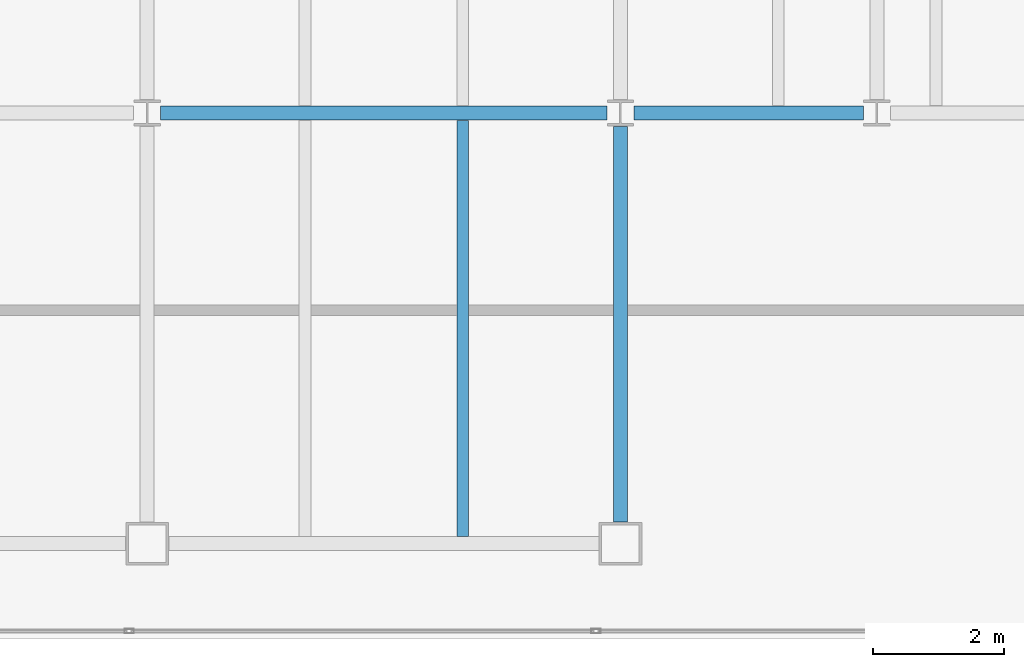
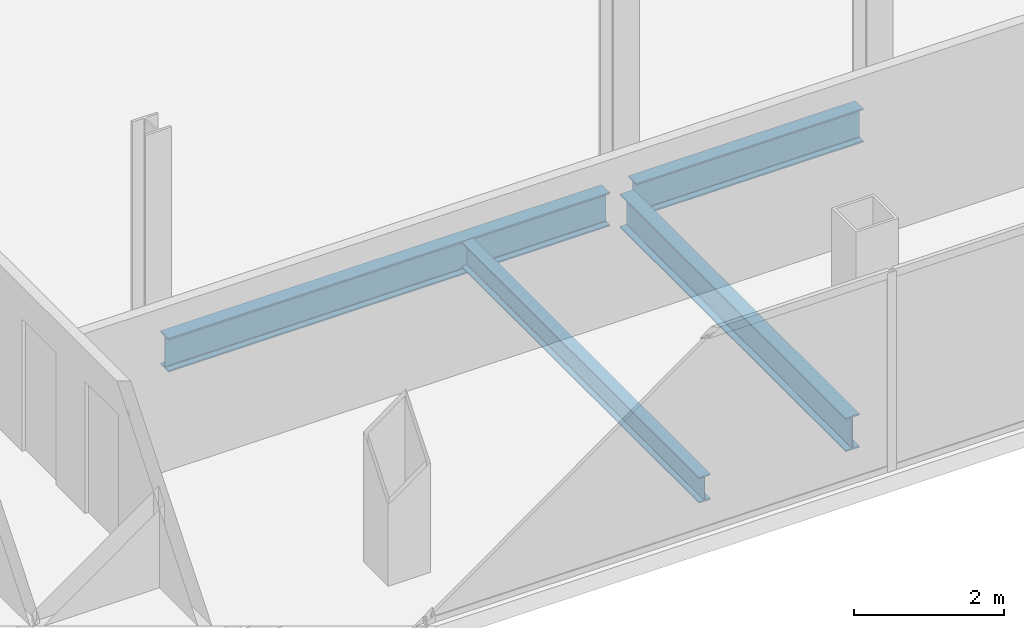
# One storey, part 13 of 24: 4 beams.
"""IFC4 building model written with IfcOpenShell, lengths in metres."""

from ifc_helpers import new_model, si_unit, direction, frame, origin, origin_2d, place, context, subcontext, project, spatial, i_section, extrude, material, material_profile, profile_set, type_object, element, save


model = new_model("IFC4")

# Units and contexts
model_context = context("Model", 3, precision=1e-05, world=origin(), true_north=direction((0.0, 1.0)))
body_context = subcontext(model_context, "Body", "Model", "MODEL_VIEW")
ifc_project = project(units=[si_unit("LENGTHUNIT", "METRE"), si_unit("AREAUNIT", "SQUARE_METRE"), si_unit("VOLUMEUNIT", "CUBIC_METRE"), si_unit("PLANEANGLEUNIT", "RADIAN"), si_unit("MASSUNIT", "GRAM", prefix="KILO")], contexts=[model_context])

# Site, building, storey
site_placement = place(None, origin())
site = spatial("IfcSite", under=ifc_project, at=site_placement, CompositionType="ELEMENT")
building_placement = place(site_placement, origin())
building = spatial("IfcBuilding", under=site, at=building_placement, Name="Cobrela Telecom Tower", CompositionType="ELEMENT")
storey_placement = place(building_placement, frame((0.0, 0.0, 244.64990234375)))
storey = spatial("IfcBuildingStorey", under=building, at=storey_placement, Name="L63", CompositionType="ELEMENT", Elevation=244.64990234375)

# Beams
ifc_material = material(Name="Steel ASTM A992 Grade 50", Category="steel")
ifc_material_profile_1 = material_profile(ifc_material, i_section(OverallWidth=0.212890625, OverallDepth=0.549072265625, WebThickness=0.0146484375, FlangeThickness=0.023681640625, FilletRadius=0.013916015625, at=origin_2d()), Name="W21X93")
ifc_profile_set_1 = profile_set([ifc_material_profile_1], Name="Steel ASTM A992 Grade 50")
beam_type_1 = type_object("IfcBeamType", Name="BM-GIRD-08", PredefinedType="USERDEFINED", material=ifc_profile_set_1)
beam_1_placement = place(storey_placement, frame((29.00439453125, 14.39990234375, -0.534423828125), z_axis=(1.0, 0.0, 0.0), x_axis=(0.0, 1.0, 0.0)))
element("IfcBeam", 1, at=beam_1_placement, inside=storey, type_object=beam_type_1, Name="L63 Primary Girder X07", ObjectType="GIRDER", PredefinedType="USERDEFINED", context=body_context, shape_type="SweptSolid", body=[
    extrude(i_section(OverallWidth=0.212890625, OverallDepth=0.549072265625, WebThickness=0.0146484375, FlangeThickness=0.023681640625, FilletRadius=0.013916015625, at=origin_2d()), origin(), (0.0, 0.0, 1.0), 6.791015625),
])
beam_2_placement = place(storey_placement, frame((36.20458984375, 14.39990234375, -0.534423828125), z_axis=(1.0, 0.0, 0.0), x_axis=(0.0, 1.0, 0.0)))
element("IfcBeam", 2, at=beam_2_placement, inside=storey, type_object=beam_type_1, Name="L63 Primary Girder X08", ObjectType="GIRDER", PredefinedType="USERDEFINED", context=body_context, shape_type="SweptSolid", body=[
    extrude(i_section(OverallWidth=0.212890625, OverallDepth=0.549072265625, WebThickness=0.0146484375, FlangeThickness=0.023681640625, FilletRadius=0.013916015625, at=origin_2d()), origin(), (0.0, 0.0, 1.0), 3.490966796875),
])
beam_3_placement = place(storey_placement, frame((36.0, 8.179931640625, -0.534423828125), z_axis=(0.0, 1.0, 0.0), x_axis=(-1.0, 0.0, 0.0)))
element("IfcBeam", 3, at=beam_3_placement, inside=storey, type_object=beam_type_1, Name="L63 Primary Girder Y31", ObjectType="GIRDER", PredefinedType="USERDEFINED", context=body_context, shape_type="SweptSolid", body=[
    extrude(i_section(OverallWidth=0.212890625, OverallDepth=0.549072265625, WebThickness=0.0146484375, FlangeThickness=0.023681640625, FilletRadius=0.013916015625, at=origin_2d()), origin(), (0.0, 0.0, 1.0), 6.015625),
])
ifc_material_profile_2 = material_profile(ifc_material, i_section(OverallWidth=0.179931640625, OverallDepth=0.4169921875, WebThickness=0.010986328125, FlangeThickness=0.01806640625, FilletRadius=0.011962890625, at=origin_2d()), Name="W16X57")
ifc_profile_set_2 = profile_set([ifc_material_profile_2], Name="Steel ASTM A992 Grade 50")
beam_type_2 = type_object("IfcBeamType", Name="BM-JOIST-04", PredefinedType="JOIST", material=ifc_profile_set_2)
beam_4_placement = place(storey_placement, frame((33.60009765625, 7.96142578125, -0.468505859375), z_axis=(0.0, 1.0, 0.0), x_axis=(-1.0, 0.0, 0.0)))
element("IfcBeam", 4, at=beam_4_placement, inside=storey, type_object=beam_type_2, Name="L63 Secondary Composite Floor Beam J13", PredefinedType="JOIST", context=body_context, shape_type="SweptSolid", body=[
    extrude(i_section(OverallWidth=0.179931640625, OverallDepth=0.4169921875, WebThickness=0.010986328125, FlangeThickness=0.01806640625, FilletRadius=0.011962890625, at=origin_2d()), origin(), (0.0, 0.0, 1.0), 6.3271484375),
])

save(model, "model.ifc")
